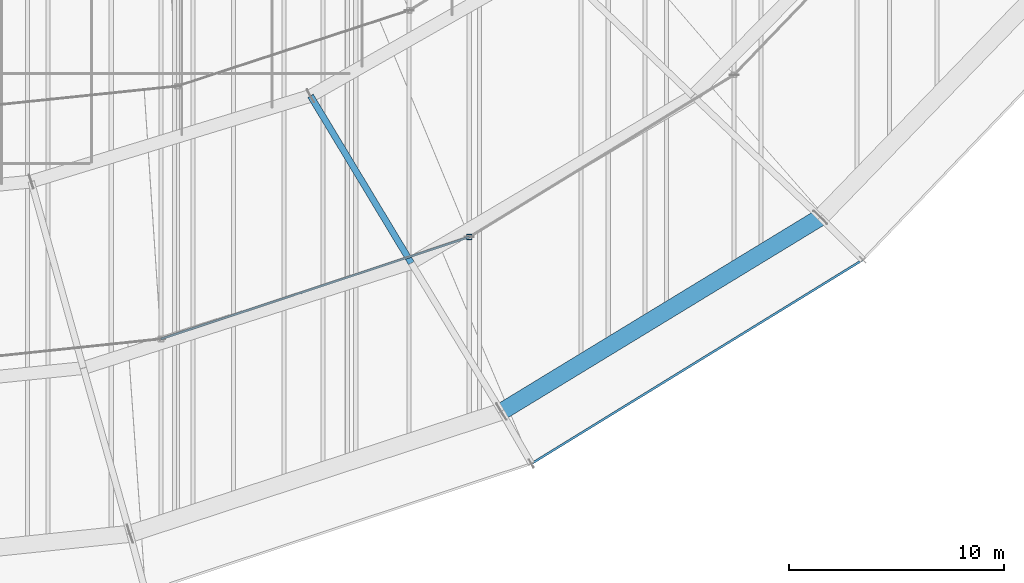
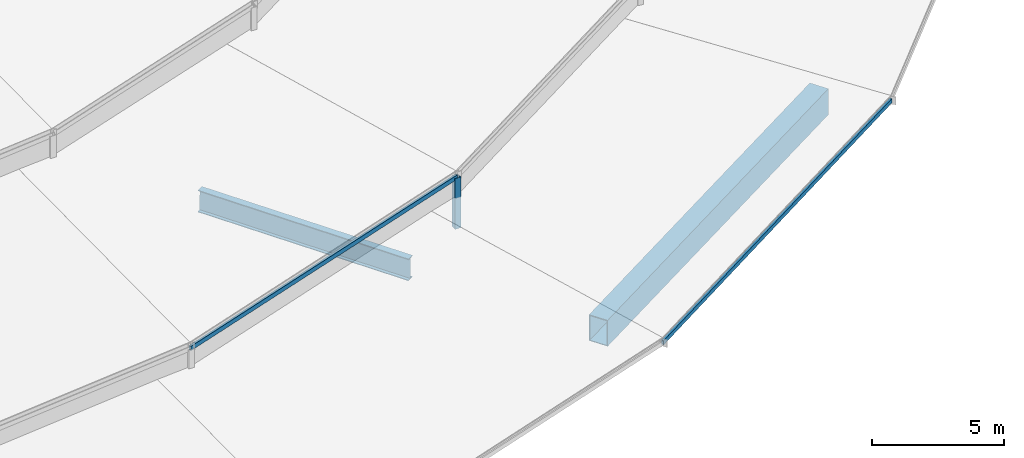
# One storey, part 39 of 184: 3 members, 2 beams.
"""IFC4 building model written with IfcOpenShell, lengths in metres."""

from ifc_helpers import new_model, si_unit, direction, frame, origin, origin_2d, place, context, subcontext, project, spatial, hollow_rectangle, i_section, extrude, material, material_profile, profile_set, type_object, element, save


model = new_model("IFC4")

# Units and contexts
model_context = context("Model", 3, precision=1e-05, world=origin(), true_north=direction((0.0, 1.0)))
body_context = subcontext(model_context, "Body", "Model", "MODEL_VIEW")
ifc_project = project(units=[si_unit("LENGTHUNIT", "METRE"), si_unit("AREAUNIT", "SQUARE_METRE"), si_unit("VOLUMEUNIT", "CUBIC_METRE"), si_unit("PLANEANGLEUNIT", "RADIAN"), si_unit("MASSUNIT", "GRAM", prefix="KILO")], contexts=[model_context])

# Site, building, storey
site_placement = place(None, origin())
site = spatial("IfcSite", under=ifc_project, at=site_placement, CompositionType="ELEMENT")
building_placement = place(site_placement, origin())
building = spatial("IfcBuilding", under=site, at=building_placement, Name="Kalgoora Escarpment Arena", CompositionType="ELEMENT")
storey_placement = place(building_placement, frame((0.0, 0.0, 27.60009765625)))
storey = spatial("IfcBuildingStorey", under=building, at=storey_placement, Name="Roof Level", CompositionType="ELEMENT", Elevation=27.60009765625)

# Beams
ifc_material_1 = material(Name="Structural steel Grade 350 (350 MPa)", Category="steel")
ifc_material_profile_1 = material_profile(ifc_material_1, hollow_rectangle(XDim=0.800048828125, YDim=1.199951171875, WallThickness=0.031982421875, at=origin_2d()))
ifc_profile_set_1 = profile_set([ifc_material_profile_1], Name="Structural steel Grade 350 (350 MPa)")
beam_type_1 = type_object("IfcBeamType", Name="BM-RING-BOX1200", PredefinedType="USERDEFINED", material=ifc_profile_set_1)
beam_1_placement = place(storey_placement, frame((128.300048828125, 14.63671875, -1.4501953125), z_axis=(0.854030640858, 0.520222706613, 0.0), x_axis=(-0.520222706613, 0.854030640858, 0.0)))
element("IfcBeam", 1, at=beam_1_placement, inside=storey, type_object=beam_type_1, Name="Outer perimeter compression RING BEAM chord 21", ObjectType="GIRDER", PredefinedType="USERDEFINED", context=body_context, shape_type="SweptSolid", body=[
    extrude(hollow_rectangle(XDim=0.800048828125, YDim=1.199951171875, WallThickness=0.031982421875, at=origin_2d()), origin(), (0.0, 0.0, 1.0), 17.411865234375),
])
ifc_material_2 = material(Name="Structural steel Grade 350 (350 MPa)", Category="steel")
ifc_material_profile_2 = material_profile(ifc_material_2, i_section(OverallWidth=0.300048828125, OverallDepth=1.010009765625, WebThickness=0.01611328125, FlangeThickness=0.030029296875, at=origin_2d()))
ifc_profile_set_2 = profile_set([ifc_material_profile_2], Name="Structural steel Grade 350 (350 MPa)")
beam_type_2 = type_object("IfcBeamType", Name="BM-TRUSS-CHORD", PredefinedType="USERDEFINED", material=ifc_profile_set_2)
beam_2_placement = place(storey_placement, frame((124.10009765625, 21.564697265625, -1.300048828125), z_axis=(-0.51637655307, 0.856291370079, 0.010970185446), x_axis=(-0.856342899909, -0.516407627535, 0.0)))
element("IfcBeam", 2, at=beam_2_placement, inside=storey, type_object=beam_type_2, Name="Inner radial petal support girder R21", ObjectType="GIRDER", PredefinedType="USERDEFINED", context=body_context, shape_type="SweptSolid", body=[
    extrude(i_section(OverallWidth=0.300048828125, OverallDepth=1.010009765625, WebThickness=0.01611328125, FlangeThickness=0.030029296875, at=origin_2d()), origin(), (0.0, 0.0, 1.0), 9.102294921875),
])

# Members
ifc_material_3 = material(Name="Structural steel C450 (450 MPa)", Category="steel")
ifc_material_profile_3 = material_profile(ifc_material_3, hollow_rectangle(XDim=0.25, YDim=0.25, WallThickness=0.012451171875, at=origin_2d()))
ifc_profile_set_3 = profile_set([ifc_material_profile_3], Name="Structural steel C450 (450 MPa)")
member_type_1 = type_object("IfcMemberType", Name="MEM-PETAL-POST", PredefinedType="POST", material=ifc_profile_set_3)
member_1_placement = place(storey_placement, frame((126.800048828125, 22.777099609375, -1.080078125), z_axis=(0.0, 0.0, 1.0), x_axis=(1.0, 0.0, 0.0)))
element("IfcMember", 3, at=member_1_placement, inside=storey, type_object=member_type_1, Name="Petal RP2 vertical support post S21", PredefinedType="POST", context=body_context, shape_type="SweptSolid", body=[
    extrude(hollow_rectangle(XDim=0.25, YDim=0.25, WallThickness=0.012451171875, at=origin_2d()), origin(), (0.0, 0.0, 1.0), 2.344970703125),
])
ifc_material_4 = material(Name="Structural steel C350 (350 MPa)", Category="steel")
ifc_material_profile_4 = material_profile(ifc_material_4, hollow_rectangle(XDim=0.10009765625, YDim=0.199951171875, WallThickness=0.009033203125, at=origin_2d()))
ifc_profile_set_4 = profile_set([ifc_material_profile_4], Name="Structural steel C350 (350 MPa)")
member_type_2 = type_object("IfcMemberType", Name="MEM-PURLIN-RHS", PredefinedType="PURLIN", material=ifc_profile_set_4)
member_2_placement = place(storey_placement, frame((129.699951171875, 12.211669921875, -1.02001953125), z_axis=(0.851766436126, 0.52392169099, 0.0), x_axis=(-0.52392169099, 0.851766436126, 0.0)))
element("IfcMember", 4, at=member_2_placement, inside=storey, type_object=member_type_2, Name="Petal RP1 eave support ring purlin S21", PredefinedType="PURLIN", context=body_context, shape_type="SweptSolid", body=[
    extrude(hollow_rectangle(XDim=0.10009765625, YDim=0.199951171875, WallThickness=0.009033203125, at=origin_2d()), origin(), (0.0, 0.0, 1.0), 18.138916015625),
])
member_3_placement = place(storey_placement, frame((112.425537109375, 18.02197265625, 1.244873046875), z_axis=(0.949401616554, 0.31406459604, 0.0), x_axis=(-0.31406459604, 0.949401616554, 0.0)))
element("IfcMember", 5, at=member_3_placement, inside=storey, type_object=member_type_2, Name="Petal RP2 eave support ring purlin S20", PredefinedType="PURLIN", context=body_context, shape_type="SweptSolid", body=[
    extrude(hollow_rectangle(XDim=0.10009765625, YDim=0.199951171875, WallThickness=0.009033203125, at=origin_2d()), origin(), (0.0, 0.0, 1.0), 15.140625),
])

save(model, "model.ifc")
